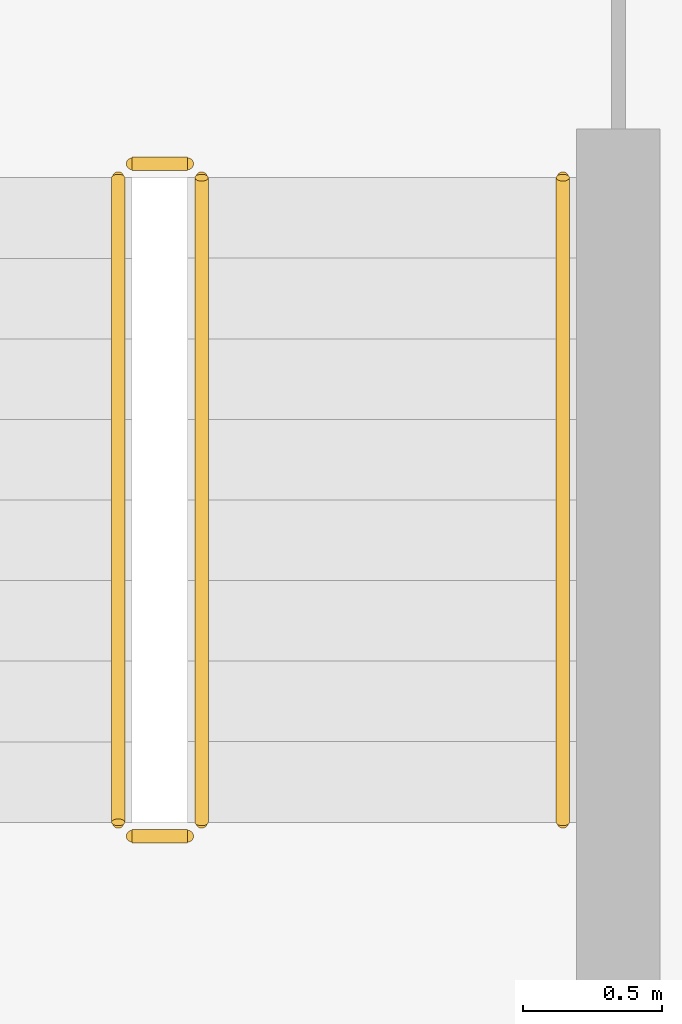
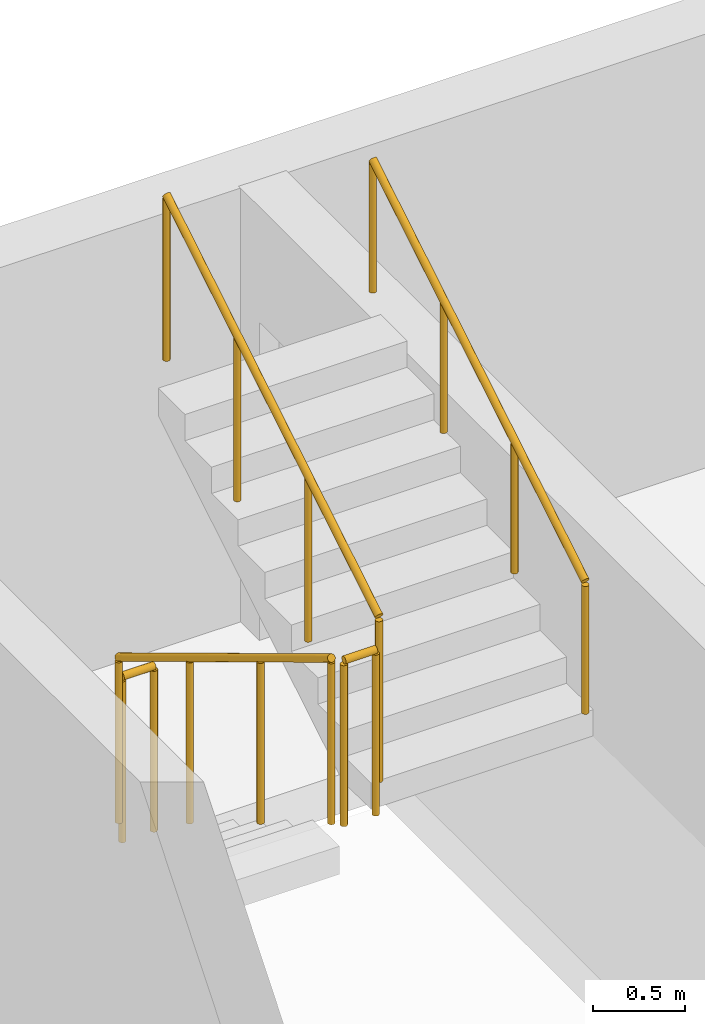
# One storey, part 49 of 51: 5 railings.
"""IFC4 building model written with IfcOpenShell, lengths in metres."""

from ifc_helpers import new_model, si_unit, derived_unit, direction, frame, origin, origin_2d, place, context, subcontext, project, spatial, circle, extrude, material, type_object, element, save


model = new_model("IFC4")

# Units and contexts
model_context = context("Model", 3, precision=1e-05, world=origin(), true_north=direction((0.0, 1.0)))
body_context = subcontext(model_context, "Body", "Model", "MODEL_VIEW")
ifc_project = project(units=[si_unit("LENGTHUNIT", "METRE"), si_unit("AREAUNIT", "SQUARE_METRE"), si_unit("VOLUMEUNIT", "CUBIC_METRE"), si_unit("PLANEANGLEUNIT", "RADIAN"), si_unit("MASSUNIT", "GRAM", prefix="KILO"), derived_unit("THERMALTRANSMITTANCEUNIT", [(si_unit("MASSUNIT", "GRAM", prefix="KILO"), 1), (si_unit("TIMEUNIT", "SECOND"), -3), (si_unit("THERMODYNAMICTEMPERATUREUNIT", "KELVIN"), -1)])], contexts=[model_context])

# Site, building, storey
site_placement = place(None, origin())
site = spatial("IfcSite", under=ifc_project, at=site_placement, CompositionType="ELEMENT")
building_placement = place(site_placement, origin())
building = spatial("IfcBuilding", under=site, at=building_placement, Name="Ochrekiln Boulevard Commons", CompositionType="ELEMENT")
storey_placement = place(building_placement, frame((0.0, 0.0, 15.22509765625)))
storey = spatial("IfcBuildingStorey", under=building, at=storey_placement, Name="L04", CompositionType="ELEMENT", Elevation=15.22509765625)

# Railings
ifc_material = material(Name="Brushed stainless steel 316 tubular railing", Category="steel")
railing_type_1 = type_object("IfcRailingType", Name="RLG-HDR-900", PredefinedType="HANDRAIL", material=ifc_material)
railing_1_placement = place(storey_placement, frame((160.550048828125, 114.610107421875, 1.75)))
element("IfcRailing", 1, at=railing_1_placement, inside=storey, type_object=railing_type_1, Name="L04 ST-B2 stair handrail 2", PredefinedType="HANDRAIL", context=body_context, shape_type="SweptSolid", body=[
    extrude(circle(Radius=0.02392578125, at=origin_2d()), frame((0.0, 0.0, 0.8759765625), z_axis=(0.0, 0.856186286599, 0.516667245565), x_axis=(-1.0, 0.0, 0.0)), (0.0, 0.0, 1.0), 2.70947265625),
    extrude(circle(Radius=0.02099609375, at=origin_2d()), origin(), (0.0, 0.0, 1.0), 0.851806640625),
    extrude(circle(Radius=0.02099609375, at=origin_2d()), frame((0.0, 0.773193359375, 0.466552734375)), (0.0, 0.0, 1.0), 0.851806640625),
    extrude(circle(Radius=0.02099609375, at=origin_2d()), frame((0.0, 1.546630859375, 0.933349609375)), (0.0, 0.0, 1.0), 0.851806640625),
    extrude(circle(Radius=0.02099609375, at=origin_2d()), frame((0.0, 2.31982421875, 1.39990234375)), (0.0, 0.0, 1.0), 0.851806640625),
])
railing_type_2 = type_object("IfcRailingType", Name="RLG-STR-1120", PredefinedType="BALUSTRADE", material=ifc_material)
railing_2_placement = place(storey_placement, frame((158.949951171875, 116.929931640625, 0.1748046875)))
element("IfcRailing", 2, at=railing_2_placement, inside=storey, type_object=railing_type_2, Name="L04 ST-B2 stair guard 1", PredefinedType="BALUSTRADE", context=body_context, shape_type="SweptSolid", body=[
    extrude(circle(Radius=0.02392578125, at=origin_2d()), frame((0.0, 0.0, 1.09619140625), z_axis=(0.0, -0.856146426353, 0.516733293531), x_axis=(1.0, 0.0, 0.0)), (0.0, 0.0, 1.0), 2.709716796875),
    extrude(circle(Radius=0.02099609375, at=origin_2d()), origin(), (0.0, 0.0, 1.0), 1.072021484375),
    extrude(circle(Radius=0.02099609375, at=origin_2d()), frame((0.0, -0.773193359375, 0.466796875)), (0.0, 0.0, 1.0), 1.072021484375),
    extrude(circle(Radius=0.02099609375, at=origin_2d()), frame((0.0, -1.546630859375, 0.933349609375)), (0.0, 0.0, 1.0), 1.072021484375),
    extrude(circle(Radius=0.02099609375, at=origin_2d()), frame((0.0, -2.31982421875, 1.400146484375)), (0.0, 0.0, 1.0), 1.072021484375),
])
railing_3_placement = place(storey_placement, frame((159.0, 114.56005859375, 1.574951171875)))
element("IfcRailing", 3, at=railing_3_placement, inside=storey, type_object=railing_type_2, Name="L04 ST-B2 stair guard 2", PredefinedType="BALUSTRADE", context=body_context, shape_type="SweptSolid", body=[
    extrude(circle(Radius=0.02392578125, at=origin_2d()), frame((0.0, 0.0, 1.09619140625), z_axis=(1.0, 0.0, 0.0), x_axis=(0.0, 1.0, 0.0)), (0.0, 0.0, 1.0), 0.199951171875),
    extrude(circle(Radius=0.02099609375, at=origin_2d()), origin(), (0.0, 0.0, 1.0), 1.072021484375),
    extrude(circle(Radius=0.02099609375, at=origin_2d()), frame((0.199951171875, 0.0, 0.0)), (0.0, 0.0, 1.0), 1.072021484375),
])
railing_4_placement = place(storey_placement, frame((159.25, 114.610107421875, 1.75)))
element("IfcRailing", 4, at=railing_4_placement, inside=storey, type_object=railing_type_2, Name="L04 ST-B2 stair guard 3", PredefinedType="BALUSTRADE", context=body_context, shape_type="SweptSolid", body=[
    extrude(circle(Radius=0.02392578125, at=origin_2d()), frame((0.0, 0.0, 1.09619140625), z_axis=(0.0, 0.856186286599, 0.516667245565), x_axis=(-1.0, 0.0, 0.0)), (0.0, 0.0, 1.0), 2.70947265625),
    extrude(circle(Radius=0.02099609375, at=origin_2d()), origin(), (0.0, 0.0, 1.0), 1.072021484375),
    extrude(circle(Radius=0.02099609375, at=origin_2d()), frame((0.0, 0.773193359375, 0.466552734375)), (0.0, 0.0, 1.0), 1.072021484375),
    extrude(circle(Radius=0.02099609375, at=origin_2d()), frame((0.0, 1.546630859375, 0.933349609375)), (0.0, 0.0, 1.0), 1.072021484375),
    extrude(circle(Radius=0.02099609375, at=origin_2d()), frame((0.0, 2.31982421875, 1.39990234375)), (0.0, 0.0, 1.0), 1.072021484375),
])
railing_5_placement = place(storey_placement, frame((159.0, 116.97998046875, 0.0)))
element("IfcRailing", 5, at=railing_5_placement, inside=storey, type_object=railing_type_2, Name="L04 ST-B2 stair guard 4", PredefinedType="BALUSTRADE", context=body_context, shape_type="SweptSolid", body=[
    extrude(circle(Radius=0.02392578125, at=origin_2d()), frame((0.0, 0.0, 1.09619140625), z_axis=(1.0, 0.0, 0.0), x_axis=(0.0, 1.0, 0.0)), (0.0, 0.0, 1.0), 0.199951171875),
    extrude(circle(Radius=0.02099609375, at=origin_2d()), origin(), (0.0, 0.0, 1.0), 1.072021484375),
    extrude(circle(Radius=0.02099609375, at=origin_2d()), frame((0.199951171875, 0.0, 0.0)), (0.0, 0.0, 1.0), 1.072021484375),
])

save(model, "model.ifc")
